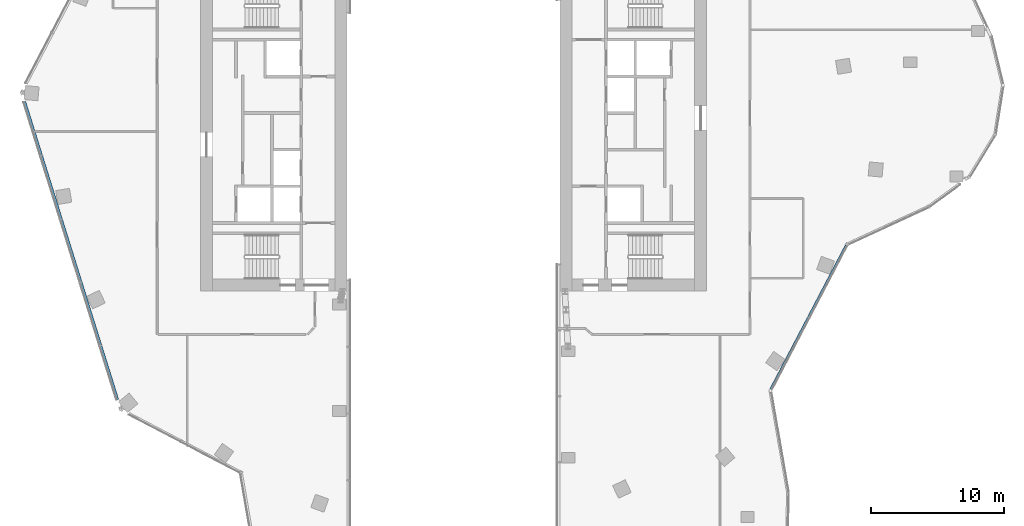
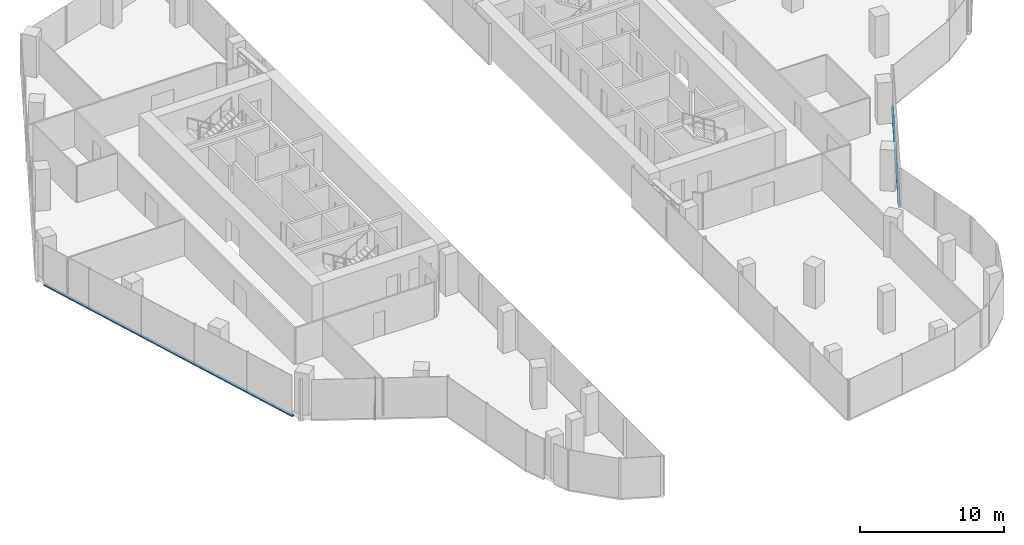
# One storey, part 4 of 23: 2 members, 2 elements without a shape of their own.
"""IFC4 building model written with IfcOpenShell, lengths in metres."""

import ifcopenshell
import ifcopenshell.guid

model = None  # the IFC model being written
_history = None  # IfcOwnerHistory: only IFC2X3 demands one
_inside = {}  # id of a spatial element -> (the spatial element, [elements in it])
_under = {}  # id of a project, library or spatial element -> (it, [spatial elements below it])
_declared = {}  # id of a project -> (the project, [libraries it declares])
_typed = {}  # id of a type object -> (the type object, [elements of that type])
_made_of = {}  # id of a material, layer set ... -> (it, [elements and type objects made of it])


def new_model(schema):
    """Start an empty IFC model of exactly this schema.

    Asked for "IFC4X3", IfcOpenShell would pick the latest addendum, in which some entities
    have other attributes; the version numbers below select the first issue.
    IFC2X3 requires an IfcOwnerHistory on every rooted entity: one is made here for all.
    """
    global model, _history
    if schema == "IFC4X3":
        model = ifcopenshell.file(schema_version=(4, 3, 0, 0))
    else:
        model = ifcopenshell.file(schema=schema)
    _inside.clear()
    _under.clear()
    _declared.clear()
    _typed.clear()
    _made_of.clear()
    _history = None
    if model.schema == "IFC2X3":
        org = make("IfcOrganization", Name="unknown")
        user = make(
            "IfcPersonAndOrganization",
            ThePerson=make("IfcPerson", FamilyName="unknown"),
            TheOrganization=org,
        )
        app = make(
            "IfcApplication",
            ApplicationDeveloper=org,
            Version="unknown",
            ApplicationFullName="unknown",
            ApplicationIdentifier="unknown",
        )
        _history = make(
            "IfcOwnerHistory",
            OwningUser=user,
            OwningApplication=app,
            ChangeAction="ADDED",
            CreationDate=0,
        )
    return model


def make(cls, **values):
    """One entity of the class cls with the attributes given. An attribute that is None is left unset."""
    return model.create_entity(
        cls, **{name: value for name, value in values.items() if value is not None}
    )


def rooted(cls, **values):
    """An entity with a GlobalId (a new one), such as an element, a storey or a relation."""
    return make(cls, GlobalId=ifcopenshell.guid.new(), OwnerHistory=_history, **values)


def si_unit(unit_type, name, prefix=None):
    """IfcSIUnit, for example si_unit("LENGTHUNIT", "METRE", prefix="MILLI")."""
    return make("IfcSIUnit", UnitType=unit_type, Prefix=prefix, Name=name)


def assignment(units):
    """IfcUnitAssignment: the units of a project."""
    return None if units is None else make("IfcUnitAssignment", Units=units)


def point(xyz):
    """IfcCartesianPoint."""
    return None if xyz is None else make("IfcCartesianPoint", Coordinates=xyz)


def direction(xyz):
    """IfcDirection."""
    return None if xyz is None else make("IfcDirection", DirectionRatios=xyz)


def frame(location, z_axis=None, x_axis=None):
    """IfcAxis2Placement3D, a coordinate frame: its origin and axes. An axis left out is left unset."""
    return make(
        "IfcAxis2Placement3D",
        Location=point(location),
        Axis=direction(z_axis),
        RefDirection=direction(x_axis),
    )


def frame_2d(location, x_axis=None):
    """IfcAxis2Placement2D, a coordinate frame in the plane: its origin and x axis."""
    return make(
        "IfcAxis2Placement2D", Location=point(location), RefDirection=direction(x_axis)
    )


def origin():
    """The frame at (0, 0, 0) with its axes left unset."""
    return frame((0.0, 0.0, 0.0))


def origin_2d():
    """The frame at (0, 0) in the plane with its x axis left unset."""
    return frame_2d((0.0, 0.0))


def place(relative_to, where):
    """IfcLocalPlacement: puts the frame where relative to a parent placement (None: the world)."""
    return make(
        "IfcLocalPlacement", PlacementRelTo=relative_to, RelativePlacement=where
    )


def context(
    kind, dimensions, precision=None, world=None, true_north=None, identifier=None
):
    """IfcGeometricRepresentationContext, for example the 3D "Model" context."""
    return make(
        "IfcGeometricRepresentationContext",
        ContextIdentifier=identifier,
        ContextType=kind,
        CoordinateSpaceDimension=dimensions,
        Precision=precision,
        WorldCoordinateSystem=world,
        TrueNorth=true_north,
    )


def subcontext(parent, identifier, kind, view, scale=None):
    """IfcGeometricRepresentationSubContext, for example "Body" below "Model"."""
    return make(
        "IfcGeometricRepresentationSubContext",
        ContextIdentifier=identifier,
        ContextType=kind,
        ParentContext=parent,
        TargetScale=scale,
        TargetView=view,
    )


def project(units=None, contexts=None):
    """IfcProject with its units and contexts."""
    return rooted(
        "IfcProject",
        Name="project",
        RepresentationContexts=contexts,
        UnitsInContext=assignment(units),
    )


def spatial(cls, under=None, at=None, **own):
    """A site, building, storey or space (cls), placed at a placement, below another one or the project."""
    s = rooted(cls, ObjectPlacement=at, **own)
    if under is not None:
        _under.setdefault(under.id(), (under, []))[1].append(s)
    return s


def profile(cls, at=None, kind="AREA", **sizes):
    """A parametric profile (cls). Its sizes go by their IFC names, for example OverallWidth=200.0."""
    return make(cls, ProfileType=kind, Position=at, **sizes)


def rectangle(**sizes):
    """IfcRectangleProfileDef."""
    return profile("IfcRectangleProfileDef", **sizes)


def extrude(swept, where, along, depth):
    """IfcExtrudedAreaSolid: the profile swept, set in the frame where, extruded along a direction by depth."""
    return make(
        "IfcExtrudedAreaSolid",
        SweptArea=swept,
        Position=where,
        ExtrudedDirection=direction(along),
        Depth=depth,
    )


def shape(context_of_items, identifier, shape_type, items):
    """IfcShapeRepresentation: the items that make up one representation, for example the "Body"."""
    return make(
        "IfcShapeRepresentation",
        ContextOfItems=context_of_items,
        RepresentationIdentifier=identifier,
        RepresentationType=shape_type,
        Items=items,
    )


def material(Name=None, Category=None):
    """IfcMaterial."""
    return make("IfcMaterial", Name=Name, Category=Category)


def material_profile(
    of_material, cross_section, Name=None, Category=None, Priority=None
):
    """IfcMaterialProfile: a cross section and its material."""
    return make(
        "IfcMaterialProfile",
        Name=Name,
        Material=of_material,
        Profile=cross_section,
        Priority=Priority,
        Category=Category,
    )


def profile_set(profiles, Name=None, composite=None):
    """IfcMaterialProfileSet."""
    return make(
        "IfcMaterialProfileSet",
        Name=Name,
        MaterialProfiles=profiles,
        CompositeProfile=composite,
    )


def made_of(thing, what):
    """Note that an element or type object is made of a material, layer set ...; save() writes the relation."""
    if what is not None:
        _made_of.setdefault(what.id(), (what, []))[1].append(thing)
    return thing


def type_object(cls, material=None, **own):
    """A type object (cls), such as IfcWallType, which elements share."""
    return made_of(rooted(cls, **own), material)


def element(
    cls,
    number,
    at=None,
    inside=None,
    cuts=None,
    type_object=None,
    material=None,
    context=None,
    identifier="Body",
    shape_type=None,
    held_by="IfcProductDefinitionShape",
    body=None,
    shapes=None,
    **own,
):
    """One element of the class cls, such as IfcWall. Its Tag is "e" and its number.

    at: its placement. inside: the storey or other place that contains it. cuts: it is an
    opening in that element (IfcRelVoidsElement). A single representation is given by context,
    identifier, shape_type and body (its items); several are given by shapes. held_by: the class
    of the entity that holds the representations. save() writes the other relations.
    """
    e = rooted(cls, Tag="e%d" % number, ObjectPlacement=at, **own)
    if body is not None:
        shapes = [shape(context, identifier, shape_type, body)]
    if shapes is not None:
        e.Representation = make(held_by, Representations=shapes)
    if inside is not None:
        _inside.setdefault(inside.id(), (inside, []))[1].append(e)
    if cuts is not None:
        rooted(
            "IfcRelVoidsElement", RelatingBuildingElement=cuts, RelatedOpeningElement=e
        )
    if type_object is not None:
        _typed.setdefault(type_object.id(), (type_object, []))[1].append(e)
    return made_of(e, material)


def aggregate(whole, parts):
    """IfcRelAggregates: a whole, such as a stair, and the parts it consists of."""
    return rooted("IfcRelAggregates", RelatingObject=whole, RelatedObjects=parts)


def save(model, path):
    """Write the relations noted so far, then the file.

    IfcRelAggregates (storeys below a building ...), IfcRelContainedInSpatialStructure (elements
    in a storey), IfcRelDefinesByType, IfcRelAssociatesMaterial and IfcRelDeclares: one each for
    every whole, place, type object, material and project.
    """
    for whole, parts in _under.values():
        aggregate(whole, parts)
    for where, things in _inside.values():
        rooted(
            "IfcRelContainedInSpatialStructure",
            RelatedElements=things,
            RelatingStructure=where,
        )
    for kind, things in _typed.values():
        rooted("IfcRelDefinesByType", RelatedObjects=things, RelatingType=kind)
    for what, things in _made_of.values():
        rooted("IfcRelAssociatesMaterial", RelatedObjects=things, RelatingMaterial=what)
    for by, libraries in _declared.values():
        rooted("IfcRelDeclares", RelatingContext=by, RelatedDefinitions=libraries)
    model.write(path)


model = new_model("IFC4")

# Units and contexts
model_context = context("Model", 3, precision=1e-05, world=origin(), true_north=direction((0.0, 1.0)))
body_context = subcontext(model_context, "Body", "Model", "MODEL_VIEW")
ifc_project = project(units=[si_unit("LENGTHUNIT", "METRE"), si_unit("AREAUNIT", "SQUARE_METRE"), si_unit("VOLUMEUNIT", "CUBIC_METRE"), si_unit("PLANEANGLEUNIT", "RADIAN"), si_unit("MASSUNIT", "GRAM", prefix="KILO")], contexts=[model_context])

# Site, building, storey
site_placement = place(None, origin())
site = spatial("IfcSite", under=ifc_project, at=site_placement, CompositionType="ELEMENT")
building_placement = place(site_placement, origin())
building = spatial("IfcBuilding", under=site, at=building_placement, Name="Orlundy Tower", CompositionType="ELEMENT")
storey_placement = place(building_placement, frame((0.0, 0.0, 257.0)))
storey = spatial("IfcBuildingStorey", under=building, at=storey_placement, Name="L68", CompositionType="ELEMENT", Elevation=257.0)

# Curtain wall, member
ifc_material_1 = material(Name="Aluminium bronze anodised", Category="aluminium")
curtain_wall_type = type_object("IfcCurtainWallType", Name="CW1 wall", PredefinedType="NOTDEFINED", material=ifc_material_1)
curtain_wall_1_placement = place(storey_placement, origin())
curtain_wall_1 = element("IfcCurtainWall", 1, at=curtain_wall_1_placement, inside=storey, type_object=curtain_wall_type, Name="CW1 run 01", PredefinedType="NOTDEFINED")
ifc_material_2 = material(Name="Aluminium bronze anodised", Category="aluminium")
ifc_material_profile = material_profile(ifc_material_2, rectangle(XDim=0.179931640625, YDim=0.1201171875, at=origin_2d()), Name="CW1 transom 180x120")
ifc_profile_set = profile_set([ifc_material_profile], Name="Aluminium bronze anodised")
member_type = type_object("IfcMemberType", Name="CW1 transom 180x120", PredefinedType="USERDEFINED", material=ifc_profile_set)
member_1_placement = place(storey_placement, frame((-25.2275390625, -20.16455078125, -0.340087890625), z_axis=(-0.297957453874, 0.954579151082, 0.0), x_axis=(-0.954579151082, -0.297957453874, 0.0)))
member_1 = element("IfcMember", 2, at=member_1_placement, type_object=member_type, Name="CW1 transom", ObjectType="TRANSOM", PredefinedType="USERDEFINED", context=body_context, shape_type="SweptSolid", body=[
    extrude(rectangle(XDim=0.179931640625, YDim=0.1201171875, at=origin_2d()), origin(), (0.0, 0.0, 1.0), 23.46630859375),
])
aggregate(curtain_wall_1, [member_1])

curtain_wall_2_placement = place(storey_placement, origin())
curtain_wall_2 = element("IfcCurtainWall", 3, at=curtain_wall_2_placement, inside=storey, type_object=curtain_wall_type, Name="CW1 run 111", PredefinedType="NOTDEFINED")
member_2_placement = place(storey_placement, frame((29.49267578125, -8.548583984375, -0.340087890625), z_axis=(-0.464325680741, -0.885664531414, 0.0), x_axis=(0.885664531414, -0.464325680741, 0.0)))
member_2 = element("IfcMember", 4, at=member_2_placement, type_object=member_type, Name="CW1 transom", ObjectType="TRANSOM", PredefinedType="USERDEFINED", context=body_context, shape_type="SweptSolid", body=[
    extrude(rectangle(XDim=0.179931640625, YDim=0.1201171875, at=origin_2d()), origin(), (0.0, 0.0, 1.0), 12.22216796875),
])
aggregate(curtain_wall_2, [member_2])

save(model, "model.ifc")
